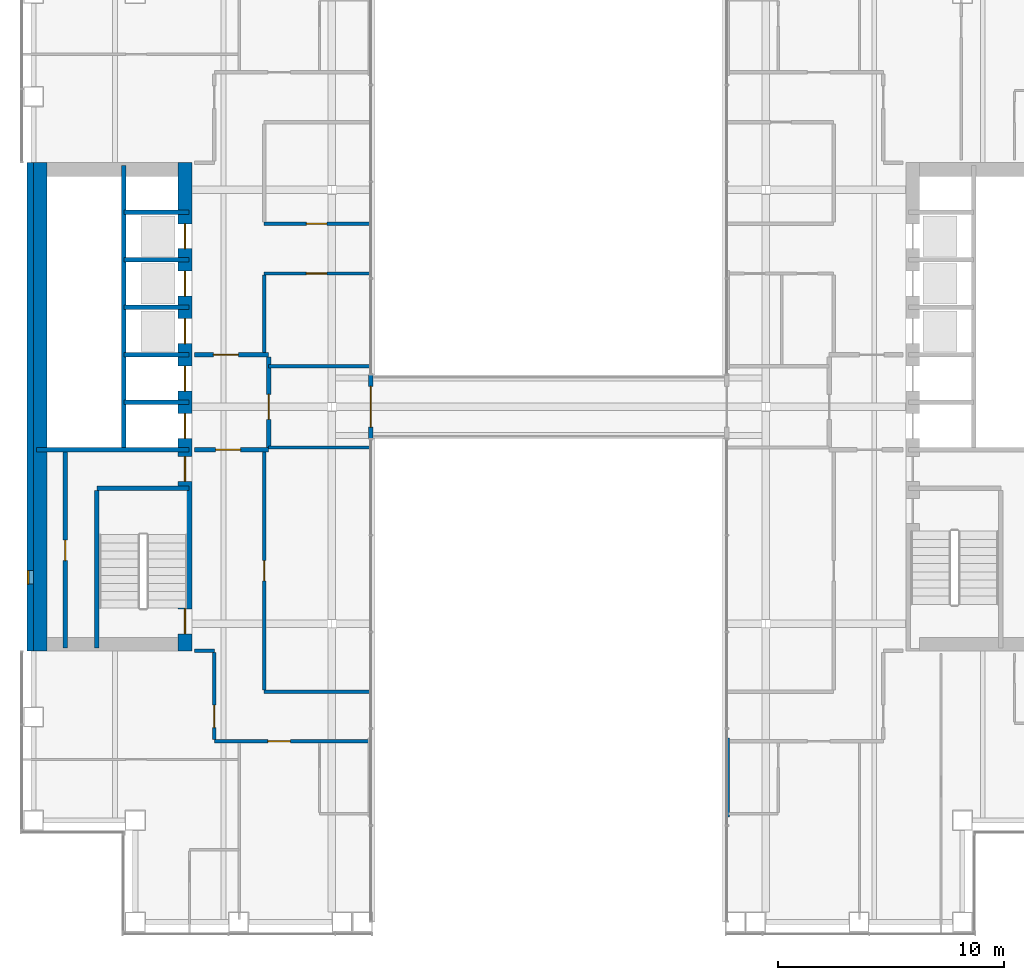
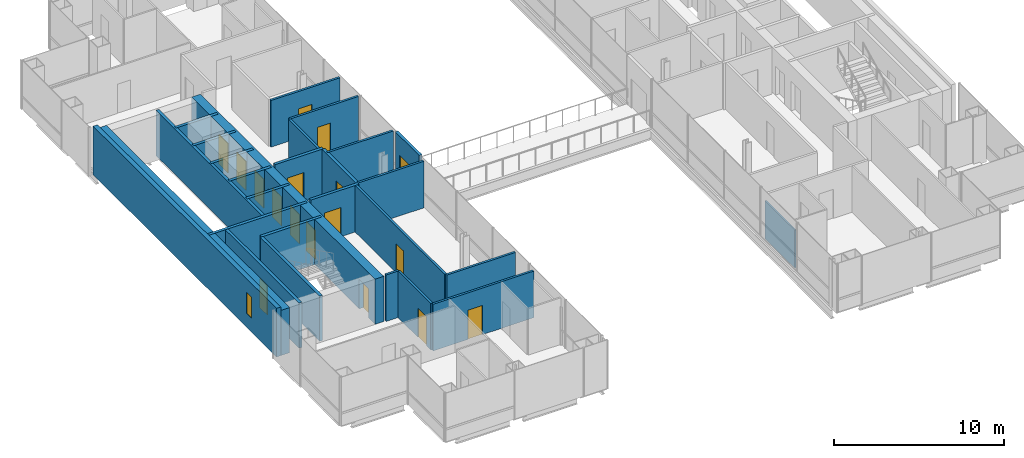
# One storey, part 11 of 16: 28 walls, 17 doors, 1 window, 18 openings.
"""IFC4 building model written with IfcOpenShell, lengths in metres."""

import ifcopenshell
import ifcopenshell.guid

model = None  # the IFC model being written
_history = None  # IfcOwnerHistory: only IFC2X3 demands one
_inside = {}  # id of a spatial element -> (the spatial element, [elements in it])
_under = {}  # id of a project, library or spatial element -> (it, [spatial elements below it])
_declared = {}  # id of a project -> (the project, [libraries it declares])
_typed = {}  # id of a type object -> (the type object, [elements of that type])
_made_of = {}  # id of a material, layer set ... -> (it, [elements and type objects made of it])


def new_model(schema):
    """Start an empty IFC model of exactly this schema.

    Asked for "IFC4X3", IfcOpenShell would pick the latest addendum, in which some entities
    have other attributes; the version numbers below select the first issue.
    IFC2X3 requires an IfcOwnerHistory on every rooted entity: one is made here for all.
    """
    global model, _history
    if schema == "IFC4X3":
        model = ifcopenshell.file(schema_version=(4, 3, 0, 0))
    else:
        model = ifcopenshell.file(schema=schema)
    _inside.clear()
    _under.clear()
    _declared.clear()
    _typed.clear()
    _made_of.clear()
    _history = None
    if model.schema == "IFC2X3":
        org = make("IfcOrganization", Name="unknown")
        user = make(
            "IfcPersonAndOrganization",
            ThePerson=make("IfcPerson", FamilyName="unknown"),
            TheOrganization=org,
        )
        app = make(
            "IfcApplication",
            ApplicationDeveloper=org,
            Version="unknown",
            ApplicationFullName="unknown",
            ApplicationIdentifier="unknown",
        )
        _history = make(
            "IfcOwnerHistory",
            OwningUser=user,
            OwningApplication=app,
            ChangeAction="ADDED",
            CreationDate=0,
        )
    return model


def make(cls, **values):
    """One entity of the class cls with the attributes given. An attribute that is None is left unset."""
    return model.create_entity(
        cls, **{name: value for name, value in values.items() if value is not None}
    )


def rooted(cls, **values):
    """An entity with a GlobalId (a new one), such as an element, a storey or a relation."""
    return make(cls, GlobalId=ifcopenshell.guid.new(), OwnerHistory=_history, **values)


def si_unit(unit_type, name, prefix=None):
    """IfcSIUnit, for example si_unit("LENGTHUNIT", "METRE", prefix="MILLI")."""
    return make("IfcSIUnit", UnitType=unit_type, Prefix=prefix, Name=name)


def assignment(units):
    """IfcUnitAssignment: the units of a project."""
    return None if units is None else make("IfcUnitAssignment", Units=units)


def point(xyz):
    """IfcCartesianPoint."""
    return None if xyz is None else make("IfcCartesianPoint", Coordinates=xyz)


def direction(xyz):
    """IfcDirection."""
    return None if xyz is None else make("IfcDirection", DirectionRatios=xyz)


def frame(location, z_axis=None, x_axis=None):
    """IfcAxis2Placement3D, a coordinate frame: its origin and axes. An axis left out is left unset."""
    return make(
        "IfcAxis2Placement3D",
        Location=point(location),
        Axis=direction(z_axis),
        RefDirection=direction(x_axis),
    )


def frame_2d(location, x_axis=None):
    """IfcAxis2Placement2D, a coordinate frame in the plane: its origin and x axis."""
    return make(
        "IfcAxis2Placement2D", Location=point(location), RefDirection=direction(x_axis)
    )


def origin():
    """The frame at (0, 0, 0) with its axes left unset."""
    return frame((0.0, 0.0, 0.0))


def place(relative_to, where):
    """IfcLocalPlacement: puts the frame where relative to a parent placement (None: the world)."""
    return make(
        "IfcLocalPlacement", PlacementRelTo=relative_to, RelativePlacement=where
    )


def context(
    kind, dimensions, precision=None, world=None, true_north=None, identifier=None
):
    """IfcGeometricRepresentationContext, for example the 3D "Model" context."""
    return make(
        "IfcGeometricRepresentationContext",
        ContextIdentifier=identifier,
        ContextType=kind,
        CoordinateSpaceDimension=dimensions,
        Precision=precision,
        WorldCoordinateSystem=world,
        TrueNorth=true_north,
    )


def subcontext(parent, identifier, kind, view, scale=None):
    """IfcGeometricRepresentationSubContext, for example "Body" below "Model"."""
    return make(
        "IfcGeometricRepresentationSubContext",
        ContextIdentifier=identifier,
        ContextType=kind,
        ParentContext=parent,
        TargetScale=scale,
        TargetView=view,
    )


def project(units=None, contexts=None):
    """IfcProject with its units and contexts."""
    return rooted(
        "IfcProject",
        Name="project",
        RepresentationContexts=contexts,
        UnitsInContext=assignment(units),
    )


def spatial(cls, under=None, at=None, **own):
    """A site, building, storey or space (cls), placed at a placement, below another one or the project."""
    s = rooted(cls, ObjectPlacement=at, **own)
    if under is not None:
        _under.setdefault(under.id(), (under, []))[1].append(s)
    return s


def profile(cls, at=None, kind="AREA", **sizes):
    """A parametric profile (cls). Its sizes go by their IFC names, for example OverallWidth=200.0."""
    return make(cls, ProfileType=kind, Position=at, **sizes)


def rectangle(**sizes):
    """IfcRectangleProfileDef."""
    return profile("IfcRectangleProfileDef", **sizes)


def extrude(swept, where, along, depth):
    """IfcExtrudedAreaSolid: the profile swept, set in the frame where, extruded along a direction by depth."""
    return make(
        "IfcExtrudedAreaSolid",
        SweptArea=swept,
        Position=where,
        ExtrudedDirection=direction(along),
        Depth=depth,
    )


def shape(context_of_items, identifier, shape_type, items):
    """IfcShapeRepresentation: the items that make up one representation, for example the "Body"."""
    return make(
        "IfcShapeRepresentation",
        ContextOfItems=context_of_items,
        RepresentationIdentifier=identifier,
        RepresentationType=shape_type,
        Items=items,
    )


def material(Name=None, Category=None):
    """IfcMaterial."""
    return make("IfcMaterial", Name=Name, Category=Category)


def layer(
    of_material, thickness, ventilated=None, Name=None, Category=None, Priority=None
):
    """IfcMaterialLayer: one layer of a wall or slab, of a material (None: an air gap)."""
    return make(
        "IfcMaterialLayer",
        Material=of_material,
        LayerThickness=thickness,
        IsVentilated=ventilated,
        Name=Name,
        Category=Category,
        Priority=Priority,
    )


def layer_set(layers, Name=None):
    """IfcMaterialLayerSet."""
    return make("IfcMaterialLayerSet", MaterialLayers=layers, LayerSetName=Name)


def made_of(thing, what):
    """Note that an element or type object is made of a material, layer set ...; save() writes the relation."""
    if what is not None:
        _made_of.setdefault(what.id(), (what, []))[1].append(thing)
    return thing


def type_object(cls, material=None, **own):
    """A type object (cls), such as IfcWallType, which elements share."""
    return made_of(rooted(cls, **own), material)


def element(
    cls,
    number,
    at=None,
    inside=None,
    cuts=None,
    type_object=None,
    material=None,
    context=None,
    identifier="Body",
    shape_type=None,
    held_by="IfcProductDefinitionShape",
    body=None,
    shapes=None,
    **own,
):
    """One element of the class cls, such as IfcWall. Its Tag is "e" and its number.

    at: its placement. inside: the storey or other place that contains it. cuts: it is an
    opening in that element (IfcRelVoidsElement). A single representation is given by context,
    identifier, shape_type and body (its items); several are given by shapes. held_by: the class
    of the entity that holds the representations. save() writes the other relations.
    """
    e = rooted(cls, Tag="e%d" % number, ObjectPlacement=at, **own)
    if body is not None:
        shapes = [shape(context, identifier, shape_type, body)]
    if shapes is not None:
        e.Representation = make(held_by, Representations=shapes)
    if inside is not None:
        _inside.setdefault(inside.id(), (inside, []))[1].append(e)
    if cuts is not None:
        rooted(
            "IfcRelVoidsElement", RelatingBuildingElement=cuts, RelatedOpeningElement=e
        )
    if type_object is not None:
        _typed.setdefault(type_object.id(), (type_object, []))[1].append(e)
    return made_of(e, material)


def fill(opening, filler):
    """IfcRelFillsElement: the door or window that sits in an opening."""
    return rooted(
        "IfcRelFillsElement",
        RelatingOpeningElement=opening,
        RelatedBuildingElement=filler,
    )


def aggregate(whole, parts):
    """IfcRelAggregates: a whole, such as a stair, and the parts it consists of."""
    return rooted("IfcRelAggregates", RelatingObject=whole, RelatedObjects=parts)


def save(model, path):
    """Write the relations noted so far, then the file.

    IfcRelAggregates (storeys below a building ...), IfcRelContainedInSpatialStructure (elements
    in a storey), IfcRelDefinesByType, IfcRelAssociatesMaterial and IfcRelDeclares: one each for
    every whole, place, type object, material and project.
    """
    for whole, parts in _under.values():
        aggregate(whole, parts)
    for where, things in _inside.values():
        rooted(
            "IfcRelContainedInSpatialStructure",
            RelatedElements=things,
            RelatingStructure=where,
        )
    for kind, things in _typed.values():
        rooted("IfcRelDefinesByType", RelatedObjects=things, RelatingType=kind)
    for what, things in _made_of.values():
        rooted("IfcRelAssociatesMaterial", RelatedObjects=things, RelatingMaterial=what)
    for by, libraries in _declared.values():
        rooted("IfcRelDeclares", RelatingContext=by, RelatedDefinitions=libraries)
    model.write(path)


model = new_model("IFC4")

# Units and contexts
model_context = context("Model", 3, precision=1e-05, world=origin(), true_north=direction((0.0, 1.0)))
body_context = subcontext(model_context, "Body", "Model", "MODEL_VIEW")
ifc_project = project(units=[si_unit("LENGTHUNIT", "METRE"), si_unit("AREAUNIT", "SQUARE_METRE"), si_unit("VOLUMEUNIT", "CUBIC_METRE"), si_unit("PLANEANGLEUNIT", "RADIAN"), si_unit("MASSUNIT", "GRAM", prefix="KILO")], contexts=[model_context])

# Site, building, storey
site_placement = place(None, origin())
site = spatial("IfcSite", under=ifc_project, at=site_placement, CompositionType="ELEMENT")
building_placement = place(site_placement, origin())
building = spatial("IfcBuilding", under=site, at=building_placement, Name="Cobrizo Arcos Hotel Tower", CompositionType="ELEMENT")
storey_placement = place(building_placement, frame((0.0, 0.0, 127.5)))
storey = spatial("IfcBuildingStorey", under=building, at=storey_placement, Name="L32", CompositionType="ELEMENT", Elevation=127.5)

# Wall, opening, door
ifc_material_1 = material(Name="Gypsum board partition")
ifc_layer_1 = layer(ifc_material_1, 0.14990234375)
ifc_layer_set_1 = layer_set([ifc_layer_1], Name="Corridor wall EI 60 150")
wall_type_1 = type_object("IfcWallType", Name="Corridor wall EI 60 150", PredefinedType="PARTITIONING", material=ifc_layer_set_1)
wall_1_placement = place(storey_placement, frame((-14.800048828125, -14.800048828125, 0.0), z_axis=(0.0, 0.0, 1.0), x_axis=(1.0, 0.0, 0.0)))
wall_1 = element("IfcWall", 1, at=wall_1_placement, inside=storey, type_object=wall_type_1, Name="Partition 005", PredefinedType="PARTITIONING", context=body_context, shape_type="SweptSolid", body=[
    extrude(rectangle(XDim=6.85009765625, YDim=0.14990234375, at=frame_2d((3.425048828125, 0.0))), origin(), (0.0, 0.0, 1.0), 3.35009765625),
])
opening_1_placement = place(wall_1_placement, frame((2.363037109375, 0.0, 0.0)))
opening_1 = element("IfcOpeningElement", 2, at=opening_1_placement, cuts=wall_1, Name="Opening GD-04", PredefinedType="OPENING", context=body_context, shape_type="SweptSolid", body=[
    extrude(rectangle(XDim=1.0, YDim=2.10009765625, at=frame_2d((0.5, 1.050048828125))), frame((0.0, 0.0869140625, 0.0), z_axis=(0.0, -1.0, 0.0), x_axis=(1.0, 0.0, 0.0)), (0.0, 0.0, 1.0), 0.173828125),
])
ifc_material_2 = material(Name="Timber door leaf", Category="wood")
door_type_1 = type_object("IfcDoorType", Name="Guest room door FD30S 1000x2100", OperationType="SINGLE_SWING_LEFT", PredefinedType="DOOR", material=ifc_material_2)
door_1_placement = place(opening_1_placement, origin())
door_1 = element("IfcDoor", 3, at=door_1_placement, inside=storey, type_object=door_type_1, Name="Door GD-04", OperationType="SINGLE_SWING_RIGHT", OverallHeight=2.10009765625, OverallWidth=1.0, PredefinedType="DOOR", context=body_context, shape_type="SweptSolid", body=[
    extrude(rectangle(XDim=1.0, YDim=2.10009765625, at=frame_2d((0.5, 1.050048828125))), frame((0.0, 0.02490234375, 0.0), z_axis=(0.0, -1.0, 0.0), x_axis=(1.0, 0.0, 0.0)), (0.0, 0.0, 1.0), 0.050048828125),
])
fill(opening_1, door_1)

# Walls
wall_2_placement = place(storey_placement, frame((-12.60009765625, -12.60009765625, 0.0), z_axis=(0.0, 0.0, 1.0), x_axis=(1.0, 0.0, 0.0)))
element("IfcWall", 4, at=wall_2_placement, inside=storey, type_object=wall_type_1, Name="Partition 008", PredefinedType="PARTITIONING", context=body_context, shape_type="SweptSolid", body=[
    extrude(rectangle(XDim=4.68017578125, YDim=0.14990234375, at=frame_2d((2.340087890625, 0.0))), origin(), (0.0, 0.0, 1.0), 3.35009765625),
])
wall_3_placement = place(storey_placement, frame((-15.679931640625, -10.800048828125, 0.0), z_axis=(0.0, 0.0, 1.0), x_axis=(1.0, 0.0, 0.0)))
element("IfcWall", 5, at=wall_3_placement, inside=storey, type_object=wall_type_1, Name="Partition 010", PredefinedType="PARTITIONING", context=body_context, shape_type="SweptSolid", body=[
    extrude(rectangle(XDim=0.8798828125, YDim=0.14990234375, at=frame_2d((0.43994140625, 0.0))), origin(), (0.0, 0.0, 1.0), 3.35009765625),
])
for number, where, z_axis, x_axis, name in (
    (6, (-12.39990234375, -1.800048828125, 0.0), (0.0, 0.0, 1.0), (1.0, 0.0, 0.0), "Partition 018"),
    (7, (-12.39990234375, 1.800048828125, 0.0), (0.0, 0.0, 1.0), (1.0, 0.0, 0.0), "Partition 022"),
):
    element("IfcWall", number, at=place(storey_placement, frame(where, z_axis=z_axis, x_axis=x_axis)), inside=storey, type_object=wall_type_1, Name=name, PredefinedType="PARTITIONING", context=body_context, shape_type="SweptSolid", body=[
        extrude(rectangle(XDim=4.47998046875, YDim=0.14990234375, at=frame_2d((2.239990234375, 0.0))), origin(), (0.0, 0.0, 1.0), 3.35009765625),
    ])

# Wall, opening, door
wall_4_placement = place(storey_placement, frame((-12.60009765625, 5.89990234375, 0.0), z_axis=(0.0, 0.0, 1.0), x_axis=(1.0, 0.0, 0.0)))
wall_4 = element("IfcWall", 8, at=wall_4_placement, inside=storey, type_object=wall_type_1, Name="Partition 030", PredefinedType="PARTITIONING", context=body_context, shape_type="SweptSolid", body=[
    extrude(rectangle(XDim=4.68017578125, YDim=0.14990234375, at=frame_2d((2.340087890625, 0.0))), origin(), (0.0, 0.0, 1.0), 3.35009765625),
])
opening_2_placement = place(wall_4_placement, frame((1.875, 0.0, 0.0)))
opening_2 = element("IfcOpeningElement", 9, at=opening_2_placement, cuts=wall_4, Name="Opening RD-06", PredefinedType="OPENING", context=body_context, shape_type="SweptSolid", body=[
    extrude(rectangle(XDim=0.89990234375, YDim=2.10009765625, at=frame_2d((0.449951171875, 1.050048828125))), frame((0.0, 0.0869140625, 0.0), z_axis=(0.0, -1.0, 0.0), x_axis=(1.0, 0.0, 0.0)), (0.0, 0.0, 1.0), 0.173828125),
])
door_type_2 = type_object("IfcDoorType", Name="Room door FD30 900x2100", OperationType="SINGLE_SWING_LEFT", PredefinedType="DOOR", material=ifc_material_2)
door_2_placement = place(opening_2_placement, origin())
door_2 = element("IfcDoor", 10, at=door_2_placement, inside=storey, type_object=door_type_2, Name="Door RD-06", OperationType="SINGLE_SWING_LEFT", OverallHeight=2.10009765625, OverallWidth=0.89990234375, PredefinedType="DOOR", context=body_context, shape_type="SweptSolid", body=[
    extrude(rectangle(XDim=0.89990234375, YDim=2.10009765625, at=frame_2d((0.449951171875, 1.050048828125))), frame((0.0, 0.02490234375, 0.0), z_axis=(0.0, -1.0, 0.0), x_axis=(1.0, 0.0, 0.0)), (0.0, 0.0, 1.0), 0.050048828125),
])
fill(opening_2, door_2)

wall_5_placement = place(storey_placement, frame((-12.60009765625, 8.10009765625, 0.0), z_axis=(0.0, 0.0, 1.0), x_axis=(1.0, 0.0, 0.0)))
wall_5 = element("IfcWall", 11, at=wall_5_placement, inside=storey, type_object=wall_type_1, Name="Partition 034", PredefinedType="PARTITIONING", context=body_context, shape_type="SweptSolid", body=[
    extrude(rectangle(XDim=4.68017578125, YDim=0.14990234375, at=frame_2d((2.340087890625, 0.0))), origin(), (0.0, 0.0, 1.0), 3.35009765625),
])
opening_3_placement = place(wall_5_placement, frame((1.875, 0.0, 0.0)))
opening_3 = element("IfcOpeningElement", 12, at=opening_3_placement, cuts=wall_5, Name="Opening RD-08", PredefinedType="OPENING", context=body_context, shape_type="SweptSolid", body=[
    extrude(rectangle(XDim=0.89990234375, YDim=2.10009765625, at=frame_2d((0.449951171875, 1.050048828125))), frame((0.0, 0.0869140625, 0.0), z_axis=(0.0, -1.0, 0.0), x_axis=(1.0, 0.0, 0.0)), (0.0, 0.0, 1.0), 0.173828125),
])
door_3_placement = place(opening_3_placement, origin())
door_3 = element("IfcDoor", 13, at=door_3_placement, inside=storey, type_object=door_type_2, Name="Door RD-08", OperationType="SINGLE_SWING_RIGHT", OverallHeight=2.10009765625, OverallWidth=0.89990234375, PredefinedType="DOOR", context=body_context, shape_type="SweptSolid", body=[
    extrude(rectangle(XDim=0.89990234375, YDim=2.10009765625, at=frame_2d((0.449951171875, 1.050048828125))), frame((0.0, 0.02490234375, 0.0), z_axis=(0.0, -1.0, 0.0), x_axis=(1.0, 0.0, 0.0)), (0.0, 0.0, 1.0), 0.050048828125),
])
fill(opening_3, door_3)

wall_6_placement = place(storey_placement, frame((-14.800048828125, -14.72509765625, 0.0), z_axis=(0.0, 0.0, 1.0), x_axis=(0.0, 1.0, 0.0)))
wall_6 = element("IfcWall", 14, at=wall_6_placement, inside=storey, type_object=wall_type_1, Name="Partition 054", PredefinedType="PARTITIONING", context=body_context, shape_type="SweptSolid", body=[
    extrude(rectangle(XDim=3.85009765625, YDim=0.14990234375, at=frame_2d((1.925048828125, 0.0))), origin(), (0.0, 0.0, 1.0), 3.35009765625),
])
opening_4_placement = place(wall_6_placement, frame((0.52490234375, 0.0, 0.0)))
opening_4 = element("IfcOpeningElement", 15, at=opening_4_placement, cuts=wall_6, Name="Opening GD-05", PredefinedType="OPENING", context=body_context, shape_type="SweptSolid", body=[
    extrude(rectangle(XDim=1.0, YDim=2.10009765625, at=frame_2d((0.5, 1.050048828125))), frame((0.0, 0.0869140625, 0.0), z_axis=(0.0, -1.0, 0.0), x_axis=(1.0, 0.0, 0.0)), (0.0, 0.0, 1.0), 0.173828125),
])
door_4_placement = place(opening_4_placement, origin())
door_4 = element("IfcDoor", 16, at=door_4_placement, inside=storey, type_object=door_type_1, Name="Door GD-05", OperationType="SINGLE_SWING_LEFT", OverallHeight=2.10009765625, OverallWidth=1.0, PredefinedType="DOOR", context=body_context, shape_type="SweptSolid", body=[
    extrude(rectangle(XDim=1.0, YDim=2.10009765625, at=frame_2d((0.5, 1.050048828125))), frame((0.0, 0.02490234375, 0.0), z_axis=(0.0, -1.0, 0.0), x_axis=(1.0, 0.0, 0.0)), (0.0, 0.0, 1.0), 0.050048828125),
])
fill(opening_4, door_4)

wall_7_placement = place(storey_placement, frame((-12.60009765625, -12.52490234375, 0.0), z_axis=(0.0, 0.0, 1.0), x_axis=(0.0, 1.0, 0.0)))
wall_7 = element("IfcWall", 17, at=wall_7_placement, inside=storey, type_object=wall_type_1, Name="Partition 058", PredefinedType="PARTITIONING", context=body_context, shape_type="SweptSolid", body=[
    extrude(rectangle(XDim=10.52490234375, YDim=0.14990234375, at=frame_2d((5.262451171875, 0.0))), origin(), (0.0, 0.0, 1.0), 3.35009765625),
])
opening_5_placement = place(wall_7_placement, frame((4.824951171875, 0.0, 0.0)))
opening_5 = element("IfcOpeningElement", 18, at=opening_5_placement, cuts=wall_7, Name="Opening RD-09", PredefinedType="OPENING", context=body_context, shape_type="SweptSolid", body=[
    extrude(rectangle(XDim=0.89990234375, YDim=2.10009765625, at=frame_2d((0.449951171875, 1.050048828125))), frame((0.0, 0.0869140625, 0.0), z_axis=(0.0, -1.0, 0.0), x_axis=(1.0, 0.0, 0.0)), (0.0, 0.0, 1.0), 0.173828125),
])
door_5_placement = place(opening_5_placement, origin())
door_5 = element("IfcDoor", 19, at=door_5_placement, inside=storey, type_object=door_type_2, Name="Door RD-09", OperationType="SINGLE_SWING_RIGHT", OverallHeight=2.10009765625, OverallWidth=0.89990234375, PredefinedType="DOOR", context=body_context, shape_type="SweptSolid", body=[
    extrude(rectangle(XDim=0.89990234375, YDim=2.10009765625, at=frame_2d((0.449951171875, 1.050048828125))), frame((0.0, 0.02490234375, 0.0), z_axis=(0.0, -1.0, 0.0), x_axis=(1.0, 0.0, 0.0)), (0.0, 0.0, 1.0), 0.050048828125),
])
fill(opening_5, door_5)

# Wall
wall_8_placement = place(storey_placement, frame((-12.60009765625, 2.39990234375, 0.0), z_axis=(0.0, 0.0, 1.0), x_axis=(0.0, 1.0, 0.0)))
element("IfcWall", 20, at=wall_8_placement, inside=storey, type_object=wall_type_1, Name="Partition 059", PredefinedType="PARTITIONING", context=body_context, shape_type="SweptSolid", body=[
    extrude(rectangle(XDim=3.425048828125, YDim=0.14990234375, at=frame_2d((1.71240234375, 0.0))), origin(), (0.0, 0.0, 1.0), 3.35009765625),
])

# Wall, opening, window
ifc_material_3 = material(Name="Aluminium composite panel pale metal", Category="aluminium")
ifc_layer_2 = layer(ifc_material_3, 0.300048828125)
ifc_layer_set_2 = layer_set([ifc_layer_2], Name="EW-1 insulated panel wall 300")
wall_type_2 = type_object("IfcWallType", Name="EW-1 insulated panel wall 300", PredefinedType="SOLIDWALL", material=ifc_layer_set_2)
wall_9_placement = place(storey_placement, frame((-22.949951171875, 10.800048828125, 0.0), z_axis=(0.0, 0.0, 1.0), x_axis=(0.0, -1.0, 0.0)))
wall_9 = element("IfcWall", 21, at=wall_9_placement, inside=storey, type_object=wall_type_2, Name="Core face wall L32 W", PredefinedType="SOLIDWALL", context=body_context, shape_type="SweptSolid", body=[
    extrude(rectangle(XDim=21.60009765625, YDim=0.300048828125, at=frame_2d((10.800048828125, 0.0))), origin(), (0.0, 0.0, 1.0), 3.5),
])
opening_6_placement = place(wall_9_placement, frame((18.050048828125, 0.0, 1.0)))
opening_6 = element("IfcOpeningElement", 22, at=opening_6_placement, cuts=wall_9, Name="Opening W-66", PredefinedType="OPENING", context=body_context, shape_type="SweptSolid", body=[
    extrude(rectangle(XDim=0.60009765625, YDim=1.5, at=frame_2d((0.300048828125, 0.75))), frame((0.0, 0.162109375, 0.0), z_axis=(0.0, -1.0, 0.0), x_axis=(1.0, 0.0, 0.0)), (0.0, 0.0, 1.0), 0.323974609375),
])
ifc_material_4 = material(Name="Aluminium 6063-T6 and clear laminated glass", Category="aluminium")
window_type = type_object("IfcWindowType", Name="W-C1 core stair slot window 600x1500", PartitioningType="SINGLE_PANEL", PredefinedType="WINDOW", material=ifc_material_4)
window_placement = place(opening_6_placement, origin())
window = element("IfcWindow", 23, at=window_placement, inside=storey, type_object=window_type, Name="Core face wall L32 W window W-66", OverallHeight=1.5, OverallWidth=0.60009765625, PartitioningType="SINGLE_PANEL", PredefinedType="WINDOW", context=body_context, shape_type="SweptSolid", body=[
    extrude(rectangle(XDim=0.60009765625, YDim=1.5, at=frame_2d((0.300048828125, 0.75))), frame((0.0, -0.06005859375, 0.0), z_axis=(0.0, -1.0, 0.0), x_axis=(1.0, 0.0, 0.0)), (0.0, 0.0, 1.0), 0.06005859375),
])
fill(opening_6, window)

# Wall, opening, door
ifc_material_5 = material(Name="Aluminium 6063-T6 anodised pale", Category="aluminium")
ifc_layer_3 = layer(ifc_material_5, 0.199951171875)
ifc_layer_set_3 = layer_set([ifc_layer_3], Name="EW-4 sky bridge door frame wall")
wall_type_3 = type_object("IfcWallType", Name="EW-4 sky bridge door frame wall", PredefinedType="SOLIDWALL", material=ifc_layer_set_3)
wall_10_placement = place(storey_placement, frame((-7.875, -1.39990234375, 0.0), z_axis=(0.0, 0.0, 1.0), x_axis=(0.0, 1.0, 0.0)))
wall_10 = element("IfcWall", 24, at=wall_10_placement, inside=storey, type_object=wall_type_3, Name="Sky bridge door wall B W", PredefinedType="SOLIDWALL", context=body_context, shape_type="SweptSolid", body=[
    extrude(rectangle(XDim=2.7998046875, YDim=0.199951171875, at=frame_2d((1.39990234375, 0.0))), origin(), (0.0, 0.0, 1.0), 3.5),
])
opening_7_placement = place(wall_10_placement, frame((0.5, 0.0, 0.0)))
opening_7 = element("IfcOpeningElement", 25, at=opening_7_placement, cuts=wall_10, Name="Opening E-51", PredefinedType="OPENING", context=body_context, shape_type="SweptSolid", body=[
    extrude(rectangle(XDim=1.800048828125, YDim=2.10009765625, at=frame_2d((0.89990234375, 1.050048828125))), frame((0.0, 0.112060546875, 0.0), z_axis=(0.0, -1.0, 0.0), x_axis=(1.0, 0.0, 0.0)), (0.0, 0.0, 1.0), 0.223876953125),
])
door_type_3 = type_object("IfcDoorType", Name="D-B1 sky bridge double door 1800x2100", OperationType="DOUBLE_DOOR_DOUBLE_SWING", PredefinedType="DOOR", material=ifc_material_4)
door_6_placement = place(opening_7_placement, origin())
door_6 = element("IfcDoor", 26, at=door_6_placement, inside=storey, type_object=door_type_3, Name="Sky bridge door wall B W door E-51", OperationType="DOUBLE_DOOR_DOUBLE_SWING", OverallHeight=2.10009765625, OverallWidth=1.800048828125, PredefinedType="DOOR", context=body_context, shape_type="SweptSolid", body=[
    extrude(rectangle(XDim=1.800048828125, YDim=2.10009765625, at=frame_2d((0.89990234375, 1.050048828125))), frame((0.0, 0.02490234375, 0.0), z_axis=(0.0, -1.0, 0.0), x_axis=(1.0, 0.0, 0.0)), (0.0, 0.0, 1.0), 0.050048828125),
])
fill(opening_7, door_6)

# Wall
ifc_layer_4 = layer(ifc_material_1, 0.10009765625)
ifc_layer_set_4 = layer_set([ifc_layer_4], Name="Partition EI 30 100")
wall_type_4 = type_object("IfcWallType", Name="Partition EI 30 100", PredefinedType="PARTITIONING", material=ifc_layer_set_4)
wall_11_placement = place(storey_placement, frame((7.949951171875, -18.139892578125, 0.0), z_axis=(0.0, 0.0, 1.0), x_axis=(0.0, 1.0, 0.0)))
element("IfcWall", 27, at=wall_11_placement, inside=storey, type_object=wall_type_4, Name="Partition 066", PredefinedType="PARTITIONING", context=body_context, shape_type="SweptSolid", body=[
    extrude(rectangle(XDim=3.47998046875, YDim=0.10009765625, at=frame_2d((1.739990234375, 0.0))), origin(), (0.0, 0.0, 1.0), 2.73291015625),
])

# Wall, openings, doors
ifc_material_6 = material(Name="Concrete f'c 50 MPa", Category="concrete")
ifc_layer_5 = layer(ifc_material_6, 0.60009765625)
ifc_layer_set_5 = layer_set([ifc_layer_5], Name="RC core wall 600 f'c 50")
wall_type_5 = type_object("IfcWallType", Name="RC core wall 600 f'c 50", PredefinedType="SHEAR", material=ifc_layer_set_5)
wall_12_placement = place(storey_placement, frame((-16.10009765625, -10.800048828125, 0.0), z_axis=(0.0, 0.0, 1.0), x_axis=(0.0, 1.0, 0.0)))
wall_12 = element("IfcWall", 28, at=wall_12_placement, inside=storey, type_object=wall_type_5, Name="Core wall CW2, west core, inner face, L32", PredefinedType="SHEAR", context=body_context, shape_type="SweptSolid", body=[
    extrude(rectangle(XDim=21.60009765625, YDim=0.60009765625, at=frame_2d((10.800048828125, 0.0))), origin(), (0.0, 0.0, 1.0), 3.25),
])
opening_8_placement = place(wall_12_placement, frame((9.39990234375, 0.0, 0.0)))
opening_8 = element("IfcOpeningElement", 29, at=opening_8_placement, cuts=wall_12, Name="Opening LD-01", PredefinedType="OPENING", context=body_context, shape_type="SweptSolid", body=[
    extrude(rectangle(XDim=1.10009765625, YDim=2.10009765625, at=frame_2d((0.550048828125, 1.050048828125))), frame((0.0, 0.31201171875, 0.0), z_axis=(0.0, -1.0, 0.0), x_axis=(1.0, 0.0, 0.0)), (0.0, 0.0, 1.0), 0.6240234375),
])
opening_9_placement = place(wall_12_placement, frame((11.5, 0.0, 0.0)))
opening_9 = element("IfcOpeningElement", 30, at=opening_9_placement, cuts=wall_12, Name="Opening LD-02", PredefinedType="OPENING", context=body_context, shape_type="SweptSolid", body=[
    extrude(rectangle(XDim=1.10009765625, YDim=2.10009765625, at=frame_2d((0.550048828125, 1.050048828125))), frame((0.0, 0.31201171875, 0.0), z_axis=(0.0, -1.0, 0.0), x_axis=(1.0, 0.0, 0.0)), (0.0, 0.0, 1.0), 0.6240234375),
])
opening_10_placement = place(wall_12_placement, frame((13.60009765625, 0.0, 0.0)))
opening_10 = element("IfcOpeningElement", 31, at=opening_10_placement, cuts=wall_12, Name="Opening LD-03", PredefinedType="OPENING", context=body_context, shape_type="SweptSolid", body=[
    extrude(rectangle(XDim=1.10009765625, YDim=2.10009765625, at=frame_2d((0.550048828125, 1.050048828125))), frame((0.0, 0.31201171875, 0.0), z_axis=(0.0, -1.0, 0.0), x_axis=(1.0, 0.0, 0.0)), (0.0, 0.0, 1.0), 0.6240234375),
])
opening_11_placement = place(wall_12_placement, frame((15.699951171875, 0.0, 0.0)))
opening_11 = element("IfcOpeningElement", 32, at=opening_11_placement, cuts=wall_12, Name="Opening LD-04", PredefinedType="OPENING", context=body_context, shape_type="SweptSolid", body=[
    extrude(rectangle(XDim=1.10009765625, YDim=2.10009765625, at=frame_2d((0.550048828125, 1.050048828125))), frame((0.0, 0.31201171875, 0.0), z_axis=(0.0, -1.0, 0.0), x_axis=(1.0, 0.0, 0.0)), (0.0, 0.0, 1.0), 0.6240234375),
])
opening_12_placement = place(wall_12_placement, frame((17.800048828125, 0.0, 0.0)))
opening_12 = element("IfcOpeningElement", 33, at=opening_12_placement, cuts=wall_12, Name="Opening LD-05", PredefinedType="OPENING", context=body_context, shape_type="SweptSolid", body=[
    extrude(rectangle(XDim=1.10009765625, YDim=2.10009765625, at=frame_2d((0.550048828125, 1.050048828125))), frame((0.0, 0.31201171875, 0.0), z_axis=(0.0, -1.0, 0.0), x_axis=(1.0, 0.0, 0.0)), (0.0, 0.0, 1.0), 0.6240234375),
])
opening_13_placement = place(wall_12_placement, frame((0.758056640625, 0.0, 0.0)))
opening_13 = element("IfcOpeningElement", 34, at=opening_13_placement, cuts=wall_12, Name="Opening SD-01", PredefinedType="OPENING", context=body_context, shape_type="SweptSolid", body=[
    extrude(rectangle(XDim=1.10009765625, YDim=2.10009765625, at=frame_2d((0.550048828125, 1.050048828125))), frame((0.0, 0.31201171875, 0.0), z_axis=(0.0, -1.0, 0.0), x_axis=(1.0, 0.0, 0.0)), (0.0, 0.0, 1.0), 0.6240234375),
])
opening_14_placement = place(wall_12_placement, frame((7.5, 0.0, 0.0)))
opening_14 = element("IfcOpeningElement", 35, at=opening_14_placement, cuts=wall_12, Name="Opening FD-01", PredefinedType="OPENING", context=body_context, shape_type="SweptSolid", body=[
    extrude(rectangle(XDim=1.10009765625, YDim=2.10009765625, at=frame_2d((0.550048828125, 1.050048828125))), frame((0.0, 0.31201171875, 0.0), z_axis=(0.0, -1.0, 0.0), x_axis=(1.0, 0.0, 0.0)), (0.0, 0.0, 1.0), 0.6240234375),
])
ifc_material_7 = material(Name="Steel door leaf", Category="steel")
door_type_4 = type_object("IfcDoorType", Name="Fire door FD60 1100x2100", OperationType="SINGLE_SWING_LEFT", PredefinedType="DOOR", material=ifc_material_7)
door_7_placement = place(opening_14_placement, origin())
door_7 = element("IfcDoor", 36, at=door_7_placement, inside=storey, type_object=door_type_4, Name="Door FD-01", OperationType="SINGLE_SWING_LEFT", OverallHeight=2.10009765625, OverallWidth=1.10009765625, PredefinedType="DOOR", context=body_context, shape_type="SweptSolid", body=[
    extrude(rectangle(XDim=1.10009765625, YDim=2.10009765625, at=frame_2d((0.550048828125, 1.050048828125))), frame((0.0, 0.02490234375, 0.0), z_axis=(0.0, -1.0, 0.0), x_axis=(1.0, 0.0, 0.0)), (0.0, 0.0, 1.0), 0.050048828125),
])
fill(opening_14, door_7)
door_type_5 = type_object("IfcDoorType", Name="Lift landing door 1100x2100", OperationType="SLIDING_TO_LEFT", PredefinedType="DOOR", material=ifc_material_7)
door_8_placement = place(opening_8_placement, origin())
door_8 = element("IfcDoor", 37, at=door_8_placement, inside=storey, type_object=door_type_5, Name="Lift landing door LD-01", OperationType="SLIDING_TO_LEFT", OverallHeight=2.10009765625, OverallWidth=1.10009765625, PredefinedType="DOOR", context=body_context, shape_type="SweptSolid", body=[
    extrude(rectangle(XDim=1.10009765625, YDim=2.10009765625, at=frame_2d((0.550048828125, 1.050048828125))), frame((0.0, 0.02490234375, 0.0), z_axis=(0.0, -1.0, 0.0), x_axis=(1.0, 0.0, 0.0)), (0.0, 0.0, 1.0), 0.050048828125),
])
fill(opening_8, door_8)
door_9_placement = place(opening_9_placement, origin())
door_9 = element("IfcDoor", 38, at=door_9_placement, inside=storey, type_object=door_type_5, Name="Lift landing door LD-02", OperationType="SLIDING_TO_LEFT", OverallHeight=2.10009765625, OverallWidth=1.10009765625, PredefinedType="DOOR", context=body_context, shape_type="SweptSolid", body=[
    extrude(rectangle(XDim=1.10009765625, YDim=2.10009765625, at=frame_2d((0.550048828125, 1.050048828125))), frame((0.0, 0.02490234375, 0.0), z_axis=(0.0, -1.0, 0.0), x_axis=(1.0, 0.0, 0.0)), (0.0, 0.0, 1.0), 0.050048828125),
])
fill(opening_9, door_9)
door_10_placement = place(opening_10_placement, origin())
door_10 = element("IfcDoor", 39, at=door_10_placement, inside=storey, type_object=door_type_5, Name="Lift landing door LD-03", OperationType="SLIDING_TO_LEFT", OverallHeight=2.10009765625, OverallWidth=1.10009765625, PredefinedType="DOOR", context=body_context, shape_type="SweptSolid", body=[
    extrude(rectangle(XDim=1.10009765625, YDim=2.10009765625, at=frame_2d((0.550048828125, 1.050048828125))), frame((0.0, 0.02490234375, 0.0), z_axis=(0.0, -1.0, 0.0), x_axis=(1.0, 0.0, 0.0)), (0.0, 0.0, 1.0), 0.050048828125),
])
fill(opening_10, door_10)
door_11_placement = place(opening_11_placement, origin())
door_11 = element("IfcDoor", 40, at=door_11_placement, inside=storey, type_object=door_type_5, Name="Lift landing door LD-04", OperationType="SLIDING_TO_LEFT", OverallHeight=2.10009765625, OverallWidth=1.10009765625, PredefinedType="DOOR", context=body_context, shape_type="SweptSolid", body=[
    extrude(rectangle(XDim=1.10009765625, YDim=2.10009765625, at=frame_2d((0.550048828125, 1.050048828125))), frame((0.0, 0.02490234375, 0.0), z_axis=(0.0, -1.0, 0.0), x_axis=(1.0, 0.0, 0.0)), (0.0, 0.0, 1.0), 0.050048828125),
])
fill(opening_11, door_11)
door_12_placement = place(opening_12_placement, origin())
door_12 = element("IfcDoor", 41, at=door_12_placement, inside=storey, type_object=door_type_5, Name="Lift landing door LD-05", OperationType="SLIDING_TO_LEFT", OverallHeight=2.10009765625, OverallWidth=1.10009765625, PredefinedType="DOOR", context=body_context, shape_type="SweptSolid", body=[
    extrude(rectangle(XDim=1.10009765625, YDim=2.10009765625, at=frame_2d((0.550048828125, 1.050048828125))), frame((0.0, 0.02490234375, 0.0), z_axis=(0.0, -1.0, 0.0), x_axis=(1.0, 0.0, 0.0)), (0.0, 0.0, 1.0), 0.050048828125),
])
fill(opening_12, door_12)
door_type_6 = type_object("IfcDoorType", Name="Stair door FD60S 1100x2100", OperationType="SINGLE_SWING_LEFT", PredefinedType="DOOR", material=ifc_material_7)
door_13_placement = place(opening_13_placement, origin())
door_13 = element("IfcDoor", 42, at=door_13_placement, inside=storey, type_object=door_type_6, Name="Door SD-01", OperationType="SINGLE_SWING_RIGHT", OverallHeight=2.10009765625, OverallWidth=1.10009765625, PredefinedType="DOOR", context=body_context, shape_type="SweptSolid", body=[
    extrude(rectangle(XDim=1.10009765625, YDim=2.10009765625, at=frame_2d((0.550048828125, 1.050048828125))), frame((0.0, 0.02490234375, 0.0), z_axis=(0.0, -1.0, 0.0), x_axis=(1.0, 0.0, 0.0)), (0.0, 0.0, 1.0), 0.050048828125),
])
fill(opening_13, door_13)

# Walls
wall_13_placement = place(storey_placement, frame((-22.5, -10.800048828125, 0.0), z_axis=(0.0, 0.0, 1.0), x_axis=(0.0, 1.0, 0.0)))
element("IfcWall", 43, at=wall_13_placement, inside=storey, type_object=wall_type_5, Name="Core wall CW2, west core, outer face, L32", PredefinedType="SHEAR", context=body_context, shape_type="SweptSolid", body=[
    extrude(rectangle(XDim=21.60009765625, YDim=0.60009765625, at=frame_2d((10.800048828125, 0.0))), origin(), (0.0, 0.0, 1.0), 3.25),
])
ifc_layer_6 = layer(ifc_material_1, 0.199951171875)
ifc_layer_set_6 = layer_set([ifc_layer_6], Name="Shaft wall EI 120 200")
wall_type_6 = type_object("IfcWallType", Name="Shaft wall EI 120 200", PredefinedType="PARTITIONING", material=ifc_layer_set_6)
wall_14_placement = place(storey_placement, frame((-22.679931640625, -1.89990234375, 0.0), z_axis=(0.0, 0.0, 1.0), x_axis=(1.0, 0.0, 0.0)))
element("IfcWall", 44, at=wall_14_placement, inside=storey, type_object=wall_type_6, Name="Partition 014", PredefinedType="PARTITIONING", context=body_context, shape_type="SweptSolid", body=[
    extrude(rectangle(XDim=6.760009765625, YDim=0.199951171875, at=frame_2d((3.3798828125, 0.0))), origin(), (0.0, 0.0, 1.0), 3.25),
])

# Wall, opening, door
wall_15_placement = place(storey_placement, frame((-15.679931640625, -1.89990234375, 0.0), z_axis=(0.0, 0.0, 1.0), x_axis=(1.0, 0.0, 0.0)))
wall_15 = element("IfcWall", 45, at=wall_15_placement, inside=storey, type_object=wall_type_6, Name="Partition 015", PredefinedType="PARTITIONING", context=body_context, shape_type="SweptSolid", body=[
    extrude(rectangle(XDim=3.280029296875, YDim=0.199951171875, at=frame_2d((1.64013671875, 0.0))), origin(), (0.0, 0.0, 1.0), 3.35009765625),
])
opening_15_placement = place(wall_15_placement, frame((0.93994140625, 0.0, 0.0)))
opening_15 = element("IfcOpeningElement", 46, at=opening_15_placement, cuts=wall_15, Name="Opening FD-03", PredefinedType="OPENING", context=body_context, shape_type="SweptSolid", body=[
    extrude(rectangle(XDim=1.10009765625, YDim=2.10009765625, at=frame_2d((0.550048828125, 1.050048828125))), frame((0.0, 0.112060546875, 0.0), z_axis=(0.0, -1.0, 0.0), x_axis=(1.0, 0.0, 0.0)), (0.0, 0.0, 1.0), 0.223876953125),
])
door_14_placement = place(opening_15_placement, origin())
door_14 = element("IfcDoor", 47, at=door_14_placement, inside=storey, type_object=door_type_4, Name="Door FD-03", OperationType="SINGLE_SWING_RIGHT", OverallHeight=2.10009765625, OverallWidth=1.10009765625, PredefinedType="DOOR", context=body_context, shape_type="SweptSolid", body=[
    extrude(rectangle(XDim=1.10009765625, YDim=2.10009765625, at=frame_2d((0.550048828125, 1.050048828125))), frame((0.0, 0.02490234375, 0.0), z_axis=(0.0, -1.0, 0.0), x_axis=(1.0, 0.0, 0.0)), (0.0, 0.0, 1.0), 0.050048828125),
])
fill(opening_15, door_14)

# Walls
for number, where, z_axis, x_axis, name in (
    (48, (-18.800048828125, 0.199951171875, 0.0), (0.0, 0.0, 1.0), (1.0, 0.0, 0.0), "Partition 020"),
    (49, (-18.800048828125, 2.300048828125, 0.0), (0.0, 0.0, 1.0), (1.0, 0.0, 0.0), "Partition 024"),
):
    element("IfcWall", number, at=place(storey_placement, frame(where, z_axis=z_axis, x_axis=x_axis)), inside=storey, type_object=wall_type_6, Name=name, PredefinedType="PARTITIONING", context=body_context, shape_type="SweptSolid", body=[
        extrude(rectangle(XDim=2.880126953125, YDim=0.199951171875, at=frame_2d((1.43994140625, 0.0))), origin(), (0.0, 0.0, 1.0), 3.25),
    ])

# Wall, opening, door
wall_16_placement = place(storey_placement, frame((-15.679931640625, 2.300048828125, 0.0), z_axis=(0.0, 0.0, 1.0), x_axis=(1.0, 0.0, 0.0)))
wall_16 = element("IfcWall", 50, at=wall_16_placement, inside=storey, type_object=wall_type_6, Name="Partition 025", PredefinedType="PARTITIONING", context=body_context, shape_type="SweptSolid", body=[
    extrude(rectangle(XDim=3.280029296875, YDim=0.199951171875, at=frame_2d((1.64013671875, 0.0))), origin(), (0.0, 0.0, 1.0), 3.35009765625),
])
opening_16_placement = place(wall_16_placement, frame((0.840087890625, 0.0, 0.0)))
opening_16 = element("IfcOpeningElement", 51, at=opening_16_placement, cuts=wall_16, Name="Opening FD-04", PredefinedType="OPENING", context=body_context, shape_type="SweptSolid", body=[
    extrude(rectangle(XDim=1.10009765625, YDim=2.10009765625, at=frame_2d((0.550048828125, 1.050048828125))), frame((0.0, 0.112060546875, 0.0), z_axis=(0.0, -1.0, 0.0), x_axis=(1.0, 0.0, 0.0)), (0.0, 0.0, 1.0), 0.223876953125),
])
door_15_placement = place(opening_16_placement, origin())
door_15 = element("IfcDoor", 52, at=door_15_placement, inside=storey, type_object=door_type_4, Name="Door FD-04", OperationType="SINGLE_SWING_RIGHT", OverallHeight=2.10009765625, OverallWidth=1.10009765625, PredefinedType="DOOR", context=body_context, shape_type="SweptSolid", body=[
    extrude(rectangle(XDim=1.10009765625, YDim=2.10009765625, at=frame_2d((0.550048828125, 1.050048828125))), frame((0.0, 0.02490234375, 0.0), z_axis=(0.0, -1.0, 0.0), x_axis=(1.0, 0.0, 0.0)), (0.0, 0.0, 1.0), 0.050048828125),
])
fill(opening_16, door_15)

# Walls
for number, where, z_axis, x_axis, name in (
    (53, (-18.800048828125, 4.39990234375, 0.0), (0.0, 0.0, 1.0), (1.0, 0.0, 0.0), "Partition 028"),
    (54, (-18.800048828125, 6.5, 0.0), (0.0, 0.0, 1.0), (1.0, 0.0, 0.0), "Partition 032"),
    (55, (-18.800048828125, 8.60009765625, 0.0), (0.0, 0.0, 1.0), (1.0, 0.0, 0.0), "Partition 036"),
):
    element("IfcWall", number, at=place(storey_placement, frame(where, z_axis=z_axis, x_axis=x_axis)), inside=storey, type_object=wall_type_6, Name=name, PredefinedType="PARTITIONING", context=body_context, shape_type="SweptSolid", body=[
        extrude(rectangle(XDim=2.880126953125, YDim=0.199951171875, at=frame_2d((1.43994140625, 0.0))), origin(), (0.0, 0.0, 1.0), 3.25),
    ])

# Wall, opening, door
wall_17_placement = place(storey_placement, frame((-21.39990234375, -10.679931640625, 0.0), z_axis=(0.0, 0.0, 1.0), x_axis=(0.0, 1.0, 0.0)))
wall_17 = element("IfcWall", 56, at=wall_17_placement, inside=storey, type_object=wall_type_6, Name="Partition 049", PredefinedType="PARTITIONING", context=body_context, shape_type="SweptSolid", body=[
    extrude(rectangle(XDim=8.679931640625, YDim=0.199951171875, at=frame_2d((4.33984375, 0.0))), origin(), (0.0, 0.0, 1.0), 3.25),
])
opening_17_placement = place(wall_17_placement, frame((3.8798828125, 0.0, 0.0)))
opening_17 = element("IfcOpeningElement", 57, at=opening_17_placement, cuts=wall_17, Name="Opening ED-01", PredefinedType="OPENING", context=body_context, shape_type="SweptSolid", body=[
    extrude(rectangle(XDim=0.89990234375, YDim=2.10009765625, at=frame_2d((0.449951171875, 1.050048828125))), frame((0.0, 0.112060546875, 0.0), z_axis=(0.0, -1.0, 0.0), x_axis=(1.0, 0.0, 0.0)), (0.0, 0.0, 1.0), 0.223876953125),
])
door_type_7 = type_object("IfcDoorType", Name="En-suite door 900x2100", OperationType="SINGLE_SWING_LEFT", PredefinedType="DOOR", material=ifc_material_2)
door_16_placement = place(opening_17_placement, origin())
door_16 = element("IfcDoor", 58, at=door_16_placement, inside=storey, type_object=door_type_7, Name="Door ED-01", OperationType="SINGLE_SWING_RIGHT", OverallHeight=2.10009765625, OverallWidth=0.89990234375, PredefinedType="DOOR", context=body_context, shape_type="SweptSolid", body=[
    extrude(rectangle(XDim=0.89990234375, YDim=2.10009765625, at=frame_2d((0.449951171875, 1.050048828125))), frame((0.0, 0.02490234375, 0.0), z_axis=(0.0, -1.0, 0.0), x_axis=(1.0, 0.0, 0.0)), (0.0, 0.0, 1.0), 0.050048828125),
])
fill(opening_17, door_16)

# Wall
wall_18_placement = place(storey_placement, frame((-18.800048828125, -1.800048828125, 0.0), z_axis=(0.0, 0.0, 1.0), x_axis=(0.0, 1.0, 0.0)))
element("IfcWall", 59, at=wall_18_placement, inside=storey, type_object=wall_type_6, Name="Partition 051", PredefinedType="PARTITIONING", context=body_context, shape_type="SweptSolid", body=[
    extrude(rectangle(XDim=12.47998046875, YDim=0.199951171875, at=frame_2d((6.239990234375, 0.0))), origin(), (0.0, 0.0, 1.0), 3.25),
])

# Wall, opening, door
wall_19_placement = place(storey_placement, frame((-12.39990234375, -1.800048828125, 0.0), z_axis=(0.0, 0.0, 1.0), x_axis=(0.0, 1.0, 0.0)))
wall_19 = element("IfcWall", 60, at=wall_19_placement, inside=storey, type_object=wall_type_6, Name="Partition 061", PredefinedType="PARTITIONING", context=body_context, shape_type="SweptSolid", body=[
    extrude(rectangle(XDim=4.0, YDim=0.199951171875, at=frame_2d((2.0, 0.0))), origin(), (0.0, 0.0, 1.0), 3.35009765625),
])
opening_18_placement = place(wall_19_placement, frame((1.25, 0.0, 0.0)))
opening_18 = element("IfcOpeningElement", 61, at=opening_18_placement, cuts=wall_19, Name="Opening FD-02", PredefinedType="OPENING", context=body_context, shape_type="SweptSolid", body=[
    extrude(rectangle(XDim=1.10009765625, YDim=2.10009765625, at=frame_2d((0.550048828125, 1.050048828125))), frame((0.0, 0.112060546875, 0.0), z_axis=(0.0, -1.0, 0.0), x_axis=(1.0, 0.0, 0.0)), (0.0, 0.0, 1.0), 0.223876953125),
])
door_17_placement = place(opening_18_placement, origin())
door_17 = element("IfcDoor", 62, at=door_17_placement, inside=storey, type_object=door_type_4, Name="Door FD-02", OperationType="SINGLE_SWING_LEFT", OverallHeight=2.10009765625, OverallWidth=1.10009765625, PredefinedType="DOOR", context=body_context, shape_type="SweptSolid", body=[
    extrude(rectangle(XDim=1.10009765625, YDim=2.10009765625, at=frame_2d((0.550048828125, 1.050048828125))), frame((0.0, 0.02490234375, 0.0), z_axis=(0.0, -1.0, 0.0), x_axis=(1.0, 0.0, 0.0)), (0.0, 0.0, 1.0), 0.050048828125),
])
fill(opening_18, door_17)

# Walls
ifc_material_8 = material(Name="Concrete f'c 40 MPa", Category="concrete")
ifc_layer_7 = layer(ifc_material_8, 0.199951171875)
ifc_layer_set_7 = layer_set([ifc_layer_7], Name="Stair shaft wall 200")
wall_type_7 = type_object("IfcWallType", Name="Stair shaft wall 200", PredefinedType="SHEAR", material=ifc_layer_set_7)
wall_20_placement = place(storey_placement, frame((-20.0, -3.60009765625, 0.0), z_axis=(0.0, 0.0, 1.0), x_axis=(1.0, 0.0, 0.0)))
element("IfcWall", 63, at=wall_20_placement, inside=storey, type_object=wall_type_7, Name="Stair shaft wall W", PredefinedType="SHEAR", context=body_context, shape_type="SweptSolid", body=[
    extrude(rectangle(XDim=4.080078125, YDim=0.199951171875, at=frame_2d((2.0400390625, 0.0))), origin(), (0.0, 0.0, 1.0), 3.25),
])
wall_21_placement = place(storey_placement, frame((-20.0, -10.679931640625, 0.0), z_axis=(0.0, 0.0, 1.0), x_axis=(0.0, 1.0, 0.0)))
element("IfcWall", 64, at=wall_21_placement, inside=storey, type_object=wall_type_7, Name="Stair shaft wall W", PredefinedType="SHEAR", context=body_context, shape_type="SweptSolid", body=[
    extrude(rectangle(XDim=6.97998046875, YDim=0.199951171875, at=frame_2d((3.489990234375, 0.0))), origin(), (0.0, 0.0, 1.0), 3.25),
])

save(model, "model.ifc")
